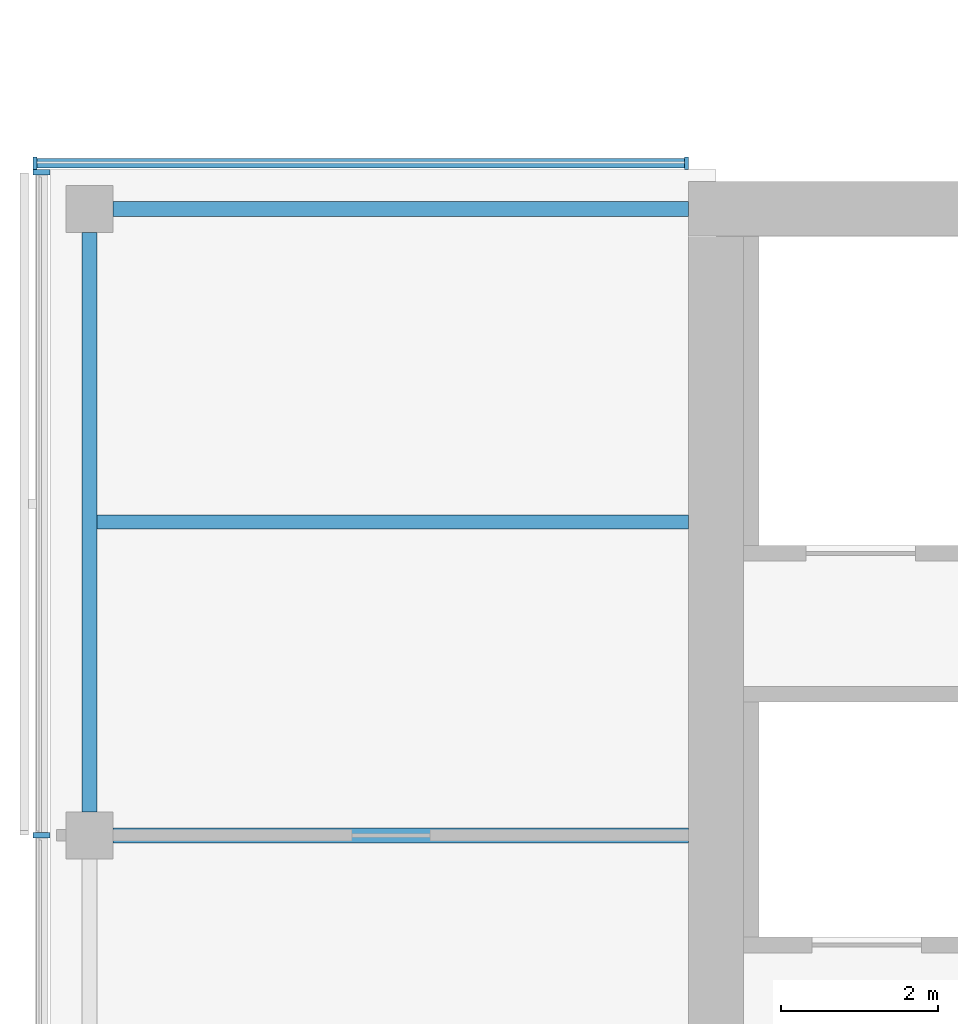
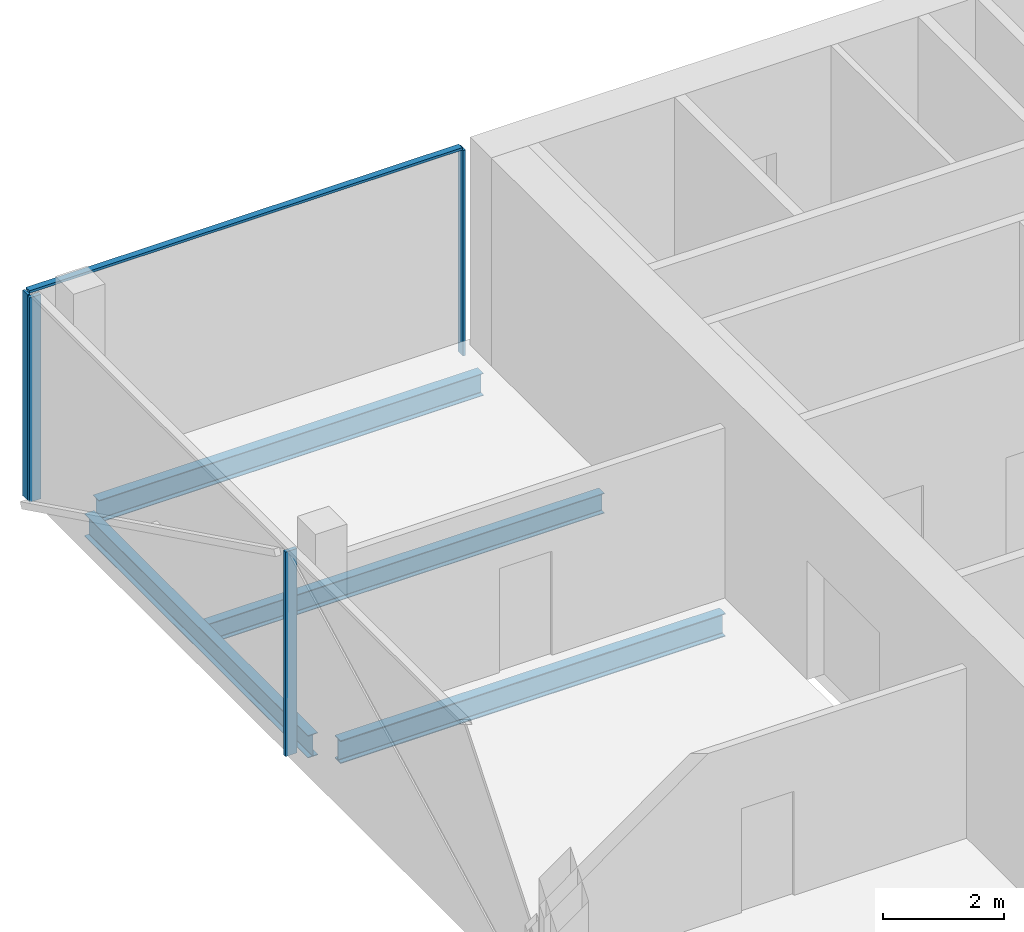
# One storey, part 7 of 22: 5 members, 4 beams, 2 elements without a shape of their own.
"""IFC4 building model written with IfcOpenShell, lengths in metres."""

from ifc_helpers import new_model, si_unit, direction, frame, origin, origin_2d, place, context, subcontext, project, spatial, rectangle, i_section, extrude, material, material_profile, profile_set, type_object, element, aggregate, save


model = new_model("IFC4")

# Units and contexts
model_context = context("Model", 3, precision=1e-05, world=origin(), true_north=direction((0.0, 1.0)))
body_context = subcontext(model_context, "Body", "Model", "MODEL_VIEW")
ifc_project = project(units=[si_unit("LENGTHUNIT", "METRE"), si_unit("AREAUNIT", "SQUARE_METRE"), si_unit("VOLUMEUNIT", "CUBIC_METRE"), si_unit("PLANEANGLEUNIT", "RADIAN"), si_unit("MASSUNIT", "GRAM", prefix="KILO")], contexts=[model_context])

# Site, building, storey
site_placement = place(None, origin())
site = spatial("IfcSite", under=ifc_project, at=site_placement, CompositionType="ELEMENT")
building_placement = place(site_placement, origin())
building = spatial("IfcBuilding", under=site, at=building_placement, Name="Crosswind Convention Tower", CompositionType="ELEMENT")
storey_placement = place(building_placement, frame((0.0, 0.0, 163.10009765625)))
storey = spatial("IfcBuildingStorey", under=building, at=storey_placement, Name="L34", CompositionType="ELEMENT", Elevation=163.10009765625)

# Beams
ifc_material_1 = material(Name="Steel S355", Category="steel")
ifc_material_profile_1 = material_profile(ifc_material_1, i_section(OverallWidth=0.18994140625, OverallDepth=0.45361328125, WebThickness=0.008544921875, FlangeThickness=0.0126953125, FilletRadius=0.01025390625, at=origin_2d()), Name="UB 457x191x67")
ifc_profile_set_1 = profile_set([ifc_material_profile_1], Name="Steel S355")
beam_type_1 = type_object("IfcBeamType", Name="Edge beam UB 457x191x67", PredefinedType="SPANDREL", material=ifc_profile_set_1)
beam_1_placement = place(storey_placement, frame((89.0, 104.300048828125, -0.52685546875), z_axis=(0.0, 1.0, 0.0), x_axis=(-1.0, 0.0, 0.0)))
element("IfcBeam", 1, at=beam_1_placement, inside=storey, type_object=beam_type_1, Name="B16 L34 edge beam 3", PredefinedType="SPANDREL", context=body_context, shape_type="SweptSolid", body=[
    extrude(i_section(OverallWidth=0.18994140625, OverallDepth=0.45361328125, WebThickness=0.008544921875, FlangeThickness=0.0126953125, FilletRadius=0.01025390625, at=origin_2d()), origin(), (0.0, 0.0, 1.0), 7.39990234375),
])
beam_2_placement = place(storey_placement, frame((89.300048828125, 112.0, -0.52685546875), z_axis=(1.0, 0.0, 0.0), x_axis=(0.0, 1.0, 0.0)))
element("IfcBeam", 2, at=beam_2_placement, inside=storey, type_object=beam_type_1, Name="B16 L34 edge beam 5", PredefinedType="SPANDREL", context=body_context, shape_type="SweptSolid", body=[
    extrude(i_section(OverallWidth=0.18994140625, OverallDepth=0.45361328125, WebThickness=0.008544921875, FlangeThickness=0.0126953125, FilletRadius=0.01025390625, at=origin_2d()), origin(), (0.0, 0.0, 1.0), 7.349853515625),
])
ifc_material_profile_2 = material_profile(ifc_material_1, i_section(OverallWidth=0.19189453125, OverallDepth=0.463623046875, WebThickness=0.010498046875, FlangeThickness=0.017578125, FilletRadius=0.01025390625, at=origin_2d()), Name="UB 457x191x90")
ifc_profile_set_2 = profile_set([ifc_material_profile_2], Name="Steel S355")
beam_type_2 = type_object("IfcBeamType", Name="Girder at core wall UB 457x191x90", PredefinedType="BEAM", material=ifc_profile_set_2)
beam_3_placement = place(storey_placement, frame((89.300048828125, 104.0, -0.531982421875), z_axis=(1.0, 0.0, 0.0), x_axis=(0.0, 1.0, 0.0)))
element("IfcBeam", 3, at=beam_3_placement, inside=storey, type_object=beam_type_2, Name="B24 L34 girder at core wall 2", PredefinedType="BEAM", context=body_context, shape_type="SweptSolid", body=[
    extrude(i_section(OverallWidth=0.19189453125, OverallDepth=0.463623046875, WebThickness=0.010498046875, FlangeThickness=0.017578125, FilletRadius=0.01025390625, at=origin_2d()), origin(), (0.0, 0.0, 1.0), 7.349853515625),
])

# Curtain wall, members
ifc_material_2 = material(Name="Aluminium unitised curtain wall", Category="aluminium")
curtain_wall_type_1 = type_object("IfcCurtainWallType", Name="CORE END SLOT WALL 160", PredefinedType="USERDEFINED", material=ifc_material_2)
curtain_wall_1_placement = place(storey_placement, origin())
curtain_wall_1 = element("IfcCurtainWall", 4, at=curtain_wall_1_placement, inside=storey, type_object=curtain_wall_type_1, Name="CW6 L34 W-N.2-1 slot", ObjectType="UNITISED", PredefinedType="USERDEFINED")
ifc_material_3 = material(Name="Aluminium mullion", Category="aluminium")
ifc_material_profile_3 = material_profile(ifc_material_3, rectangle(XDim=0.159912109375, YDim=0.050048828125, at=origin_2d()), Name="AL 160X50")
ifc_profile_set_3 = profile_set([ifc_material_profile_3], Name="Aluminium mullion")
member_type_1 = type_object("IfcMemberType", Name="MULLION 50X160", PredefinedType="MULLION", material=ifc_profile_set_3)
member_1_placement = place(storey_placement, frame((96.625, 112.580078125, -0.300048828125), z_axis=(0.0, 0.0, 1.0), x_axis=(0.0, 1.0, 0.0)))
member_1 = element("IfcMember", 5, at=member_1_placement, type_object=member_type_1, Name="CW6 mullion 1", PredefinedType="MULLION", context=body_context, shape_type="SweptSolid", body=[
    extrude(rectangle(XDim=0.159912109375, YDim=0.050048828125, at=origin_2d()), origin(), (0.0, 0.0, 1.0), 4.14990234375),
])
member_2_placement = place(storey_placement, frame((88.304931640625, 112.580078125, -0.300048828125), z_axis=(0.0, 0.0, 1.0), x_axis=(0.0, 1.0, 0.0)))
member_2 = element("IfcMember", 6, at=member_2_placement, type_object=member_type_1, Name="CW6 mullion 2", PredefinedType="MULLION", context=body_context, shape_type="SweptSolid", body=[
    extrude(rectangle(XDim=0.159912109375, YDim=0.050048828125, at=origin_2d()), origin(), (0.0, 0.0, 1.0), 4.14990234375),
])

curtain_wall_type_2 = type_object("IfcCurtainWallType", Name="OFFICE UNITISED WALL 220", PredefinedType="USERDEFINED", material=ifc_material_2)
curtain_wall_2_placement = place(storey_placement, origin())
curtain_wall_2 = element("IfcCurtainWall", 7, at=curtain_wall_2_placement, inside=storey, type_object=curtain_wall_type_2, Name="CW3 L34 W-TIP 1", ObjectType="UNITISED", PredefinedType="USERDEFINED")
ifc_material_profile_4 = material_profile(ifc_material_3, rectangle(XDim=0.219970703125, YDim=0.070068359375, at=origin_2d()), Name="AL 220X70")
ifc_profile_set_4 = profile_set([ifc_material_profile_4], Name="Aluminium mullion")
member_type_2 = type_object("IfcMemberType", Name="MULLION 70X220", PredefinedType="MULLION", material=ifc_profile_set_4)
member_3_placement = place(storey_placement, frame((88.389892578125, 112.465087890625, -0.300048828125), z_axis=(0.0, 0.0, 1.0), x_axis=(-1.0, 0.0, 0.0)))
member_3 = element("IfcMember", 8, at=member_3_placement, type_object=member_type_2, Name="CW3 mullion 1", PredefinedType="MULLION", context=body_context, shape_type="SweptSolid", body=[
    extrude(rectangle(XDim=0.219970703125, YDim=0.070068359375, at=origin_2d()), origin(), (0.0, 0.0, 1.0), 4.1298828125),
])
member_4_placement = place(storey_placement, frame((88.389892578125, 104.0, -0.300048828125), z_axis=(0.0, 0.0, 1.0), x_axis=(-1.0, 0.0, 0.0)))
member_4 = element("IfcMember", 9, at=member_4_placement, type_object=member_type_2, Name="CW3 mullion 2", PredefinedType="MULLION", context=body_context, shape_type="SweptSolid", body=[
    extrude(rectangle(XDim=0.219970703125, YDim=0.070068359375, at=origin_2d()), origin(), (0.0, 0.0, 1.0), 4.1298828125),
])
aggregate(curtain_wall_2, [member_3, member_4])

# Beam
ifc_material_profile_5 = material_profile(ifc_material_1, i_section(OverallWidth=0.177734375, OverallDepth=0.406494140625, WebThickness=0.0078125, FlangeThickness=0.0126953125, FilletRadius=0.01025390625, at=origin_2d()), Name="UB 406x178x60")
ifc_profile_set_5 = profile_set([ifc_material_profile_5], Name="Steel S355")
beam_type_3 = type_object("IfcBeamType", Name="Secondary beam UB 406x178x60", PredefinedType="JOIST", material=ifc_profile_set_5)
beam_4_placement = place(storey_placement, frame((89.094970703125, 108.0, -0.50341796875), z_axis=(1.0, 0.0, 0.0), x_axis=(0.0, 1.0, 0.0)))
element("IfcBeam", 10, at=beam_4_placement, inside=storey, type_object=beam_type_3, Name="B10 L34 secondary beam 3", PredefinedType="JOIST", context=body_context, shape_type="SweptSolid", body=[
    extrude(i_section(OverallWidth=0.177734375, OverallDepth=0.406494140625, WebThickness=0.0078125, FlangeThickness=0.0126953125, FilletRadius=0.01025390625, at=origin_2d()), origin(), (0.0, 0.0, 1.0), 7.554931640625),
])

# Member
ifc_material_4 = material(Name="Aluminium transom", Category="aluminium")
ifc_material_profile_6 = material_profile(ifc_material_4, rectangle(XDim=0.1201171875, YDim=0.050048828125, at=origin_2d()), Name="AL 120X50")
ifc_profile_set_6 = profile_set([ifc_material_profile_6], Name="Aluminium transom")
member_type_3 = type_object("IfcMemberType", Name="TRANSOM 50X120", PredefinedType="USERDEFINED", material=ifc_profile_set_6)
member_5_placement = place(storey_placement, frame((96.60009765625, 112.580078125, 3.875), z_axis=(-1.0, 0.0, 0.0), x_axis=(0.0, -1.0, 0.0)))
member_5 = element("IfcMember", 11, at=member_5_placement, type_object=member_type_3, Name="CW6 transom", ObjectType="TRANSOM", PredefinedType="USERDEFINED", context=body_context, shape_type="SweptSolid", body=[
    extrude(rectangle(XDim=0.1201171875, YDim=0.050048828125, at=origin_2d()), origin(), (0.0, 0.0, 1.0), 8.27001953125),
])

aggregate(curtain_wall_1, [member_1, member_2, member_5])

save(model, "model.ifc")
